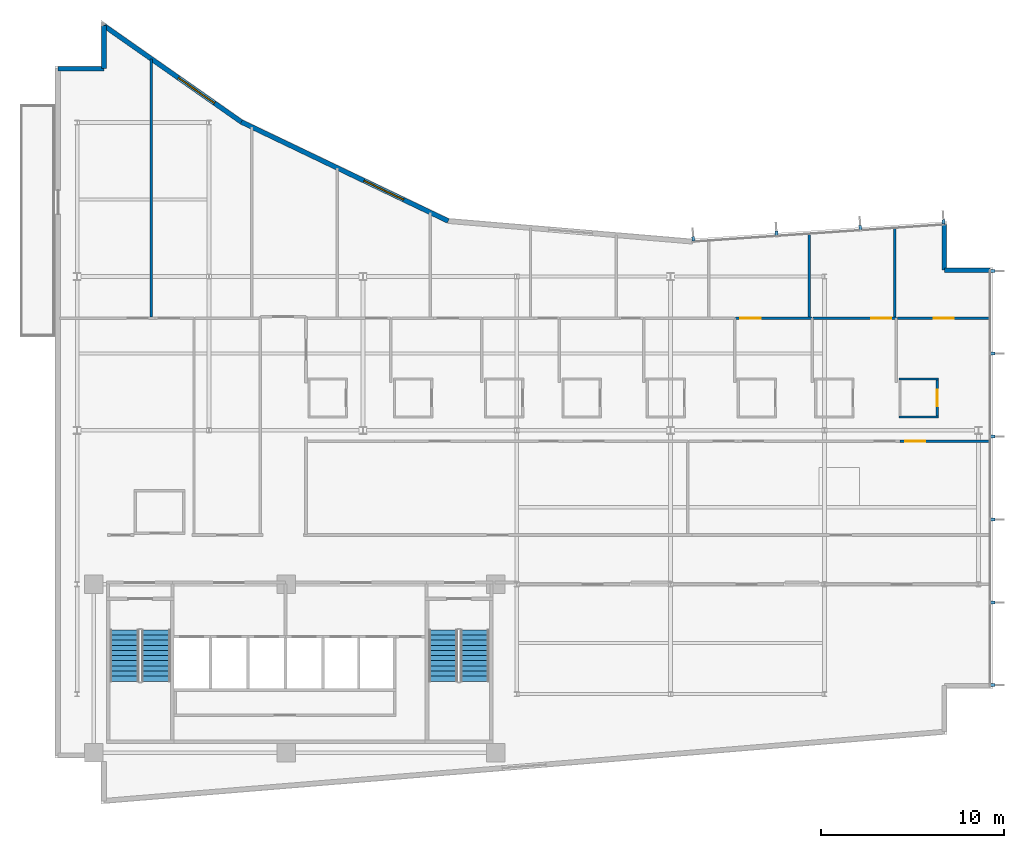
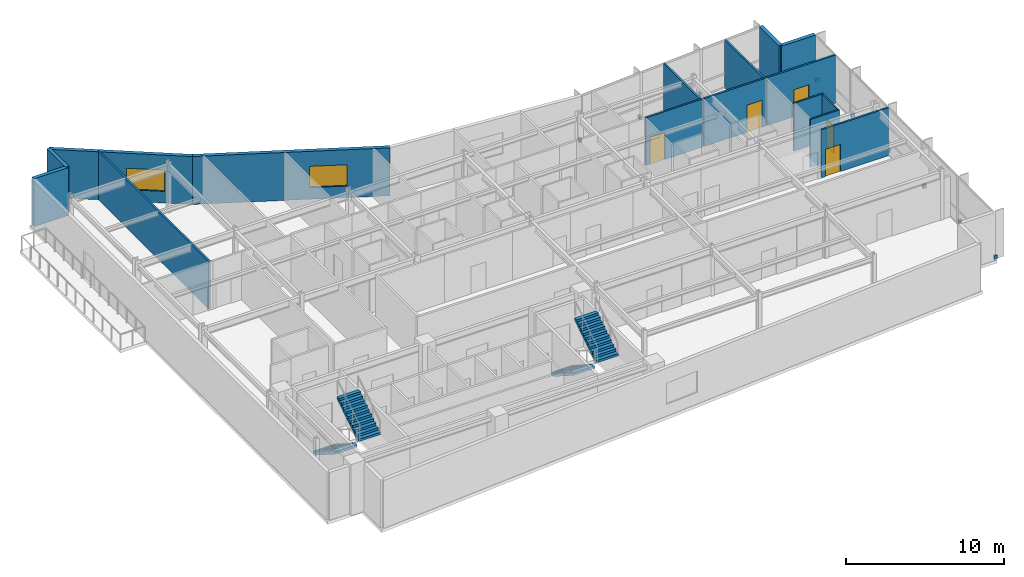
# One storey, part 13 of 16: 16 walls, 10 discrete accessories, 5 doors, 4 stair flights, 2 windows, 7 openings, 2 elements without a shape of their own.
"""IFC4 building model written with IfcOpenShell, lengths in metres."""

from ifc_helpers import new_model, si_unit, direction, frame, frame_2d, origin, origin_2d, place, context, subcontext, project, spatial, polyline, rectangle, outline, extrude, material, layer, layer_set, type_object, element, fill, aggregate, save


model = new_model("IFC4")

# Units and contexts
model_context = context("Model", 3, precision=1e-05, world=origin(), true_north=direction((0.0, 1.0)))
body_context = subcontext(model_context, "Body", "Model", "MODEL_VIEW")
ifc_project = project(units=[si_unit("LENGTHUNIT", "METRE"), si_unit("AREAUNIT", "SQUARE_METRE"), si_unit("VOLUMEUNIT", "CUBIC_METRE"), si_unit("PLANEANGLEUNIT", "RADIAN"), si_unit("MASSUNIT", "GRAM", prefix="KILO")], contexts=[model_context])

# Site, building, storey
site_placement = place(None, origin())
site = spatial("IfcSite", under=ifc_project, at=site_placement, CompositionType="ELEMENT")
building_placement = place(site_placement, origin())
building = spatial("IfcBuilding", under=site, at=building_placement, Name="Varnakote Quay Hospital", CompositionType="ELEMENT")
storey_placement = place(building_placement, frame((0.0, 0.0, 223.699951171875)))
storey = spatial("IfcBuildingStorey", under=building, at=storey_placement, Name="L55", CompositionType="ELEMENT", Elevation=223.699951171875)

# Walls
ifc_material_1 = material(Name="Moisture-resistant bathroom partition", Category="gypsum")
ifc_layer_1 = layer(ifc_material_1, 0.114990234375)
ifc_layer_set_1 = layer_set([ifc_layer_1], Name="Moisture-resistant bathroom partition")
wall_type_1 = type_object("IfcWallType", Name="WL-ENS-115", PredefinedType="PARTITIONING", material=ifc_layer_set_1)
for number, where, z_axis, x_axis, name in (
    (1, (46.06494140625, 21.132568359375, 0.0), (0.0, 0.0, 1.0), (1.0, 0.0, 0.0), "L55 Inpatient En-Suite Bathroom 08 S Wall"),
    (2, (46.06494140625, 23.197509765625, 0.0), (0.0, 0.0, 1.0), (1.0, 0.0, 0.0), "L55 Inpatient En-Suite Bathroom 08 N Wall"),
):
    element("IfcWall", number, at=place(storey_placement, frame(where, z_axis=z_axis, x_axis=x_axis)), inside=storey, type_object=wall_type_1, Name=name, PredefinedType="PARTITIONING", context=body_context, shape_type="SweptSolid", body=[
        extrude(rectangle(XDim=2.150146484375, YDim=0.114990234375, at=frame_2d((1.0751953125, 0.0))), origin(), (0.0, 0.0, 1.0), 3.7099609375),
    ])

# Wall, opening, door
wall_1_placement = place(storey_placement, frame((48.157470703125, 21.18994140625, 0.0), z_axis=(0.0, 0.0, 1.0), x_axis=(0.0, 1.0, 0.0)))
wall_1 = element("IfcWall", 3, at=wall_1_placement, inside=storey, type_object=wall_type_1, Name="L55 Inpatient En-Suite Bathroom 08 E Wall", PredefinedType="PARTITIONING", context=body_context, shape_type="SweptSolid", body=[
    extrude(rectangle(XDim=1.949951171875, YDim=0.114990234375, at=frame_2d((0.97509765625, 0.0))), origin(), (0.0, 0.0, 1.0), 3.7099609375),
])
opening_1_placement = place(wall_1_placement, frame((0.514892578125, 0.0, 0.0)))
opening_1 = element("IfcOpeningElement", 4, at=opening_1_placement, cuts=wall_1, Name="Opening D-L55-ENS08", PredefinedType="OPENING", context=body_context, shape_type="SweptSolid", body=[
    extrude(rectangle(XDim=0.919921875, YDim=2.10009765625, at=frame_2d((0.4599609375, 1.050048828125))), frame((0.0, 0.0673828125, 0.0), z_axis=(0.0, -1.0, 0.0), x_axis=(1.0, 0.0, 0.0)), (0.0, 0.0, 1.0), 0.135009765625),
])
ifc_material_2 = material(Name="Moisture-sealed en-suite bathroom door")
door_type_1 = type_object("IfcDoorType", Name="DR-ENS-920x2100", OperationType="NOTDEFINED", PredefinedType="DOOR", material=ifc_material_2)
door_1_placement = place(opening_1_placement, origin())
door_1 = element("IfcDoor", 5, at=door_1_placement, inside=storey, type_object=door_type_1, Name="L55 Inpatient En-Suite Bathroom 08 Door", OperationType="SINGLE_SWING_RIGHT", OverallHeight=2.10009765625, OverallWidth=0.919921875, PredefinedType="DOOR", context=body_context, shape_type="SweptSolid", body=[
    extrude(rectangle(XDim=0.919921875, YDim=2.10009765625, at=frame_2d((0.4599609375, 1.050048828125))), frame((0.0, 0.02490234375, 0.0), z_axis=(0.0, -1.0, 0.0), x_axis=(1.0, 0.0, 0.0)), (0.0, 0.0, 1.0), 0.050048828125),
])
fill(opening_1, door_1)

# Walls
ifc_material_3 = material(Name="Precast concrete N50 (f'c 50 MPa)", Category="concrete")
ifc_layer_2 = layer(ifc_material_3, 0.260009765625)
ifc_layer_set_2 = layer_set([ifc_layer_2], Name="Precast concrete N50 (f'c 50 MPa)")
wall_type_2 = type_object("IfcWallType", Name="WL-EXT-BRICK-260", PredefinedType="STANDARD", material=ifc_layer_set_2)
wall_2_placement = place(storey_placement, frame((51.0400390625, 29.139892578125, 0.0), z_axis=(0.0, 0.0, 1.0), x_axis=(-1.0, 0.0, 0.0)))
element("IfcWall", 6, at=wall_2_placement, inside=storey, type_object=wall_type_2, Name="L55 Brick-Faced Precast Exterior Wall", PredefinedType="STANDARD", context=body_context, shape_type="SweptSolid", body=[
    extrude(rectangle(XDim=2.5, YDim=0.260009765625, at=frame_2d((1.25, 0.0))), origin(), (0.0, 0.0, 1.0), 3.7099609375),
])
wall_3_placement = place(storey_placement, frame((48.5400390625, 29.139892578125, 0.0), z_axis=(0.0, 0.0, 1.0), x_axis=(0.0, 1.0, 0.0)))
element("IfcWall", 7, at=wall_3_placement, inside=storey, type_object=wall_type_2, Name="L55 Brick-Faced Precast Exterior Wall", PredefinedType="STANDARD", context=body_context, shape_type="SweptSolid", body=[
    extrude(rectangle(XDim=2.489013671875, YDim=0.260009765625, at=frame_2d((1.24462890625, 0.0))), origin(), (0.0, 0.0, 1.0), 3.7099609375),
])

# Wall, opening, window
wall_4_placement = place(storey_placement, frame((21.461181640625, 31.822998046875, 0.0), z_axis=(0.0, 0.0, 1.0), x_axis=(-0.901858094827, 0.432032379336, 0.0)))
wall_4 = element("IfcWall", 8, at=wall_4_placement, inside=storey, type_object=wall_type_2, Name="L55 Brick-Faced Precast Exterior Wall", PredefinedType="STANDARD", context=body_context, shape_type="SweptSolid", body=[
    extrude(rectangle(XDim=12.5322265625, YDim=0.260009765625, at=frame_2d((6.26611328125, 0.0))), origin(), (0.0, 0.0, 1.0), 3.7099609375),
])
opening_2_placement = place(wall_4_placement, frame((2.7099609375, 0.0, 0.89990234375)))
opening_2 = element("IfcOpeningElement", 9, at=opening_2_placement, cuts=wall_4, Name="Opening WN-0228", PredefinedType="OPENING", context=body_context, shape_type="SweptSolid", body=[
    extrude(rectangle(XDim=2.39990234375, YDim=1.64990234375, at=frame_2d((1.199951171875, 0.824951171875))), frame((0.0, 0.139892578125, 0.0), z_axis=(0.0, -1.0, 0.0), x_axis=(1.0, 0.0, 0.0)), (0.0, 0.0, 1.0), 0.280029296875),
])
ifc_material_4 = material(Name="Double-glazed low-E solar glass", Category="glass")
window_type = type_object("IfcWindowType", Name="WIN-CLIN-2400x1650", PartitioningType="SINGLE_PANEL", PredefinedType="WINDOW", material=ifc_material_4)
window_1_placement = place(opening_2_placement, origin())
window_1 = element("IfcWindow", 10, at=window_1_placement, inside=storey, type_object=window_type, Name="L55 Solar-Control Clinical Window", OverallHeight=1.64990234375, OverallWidth=2.39990234375, PartitioningType="SINGLE_PANEL", PredefinedType="WINDOW", context=body_context, shape_type="SweptSolid", body=[
    extrude(rectangle(XDim=2.39990234375, YDim=1.64990234375, at=frame_2d((1.199951171875, 0.824951171875))), frame((0.0, 0.030029296875, 0.0), z_axis=(0.0, -1.0, 0.0), x_axis=(1.0, 0.0, 0.0)), (0.0, 0.0, 1.0), 0.06005859375),
])
fill(opening_2, window_1)

wall_5_placement = place(storey_placement, frame((10.158935546875, 37.2373046875, 0.0), z_axis=(0.0, 0.0, 1.0), x_axis=(-0.818933702389, 0.57388813465, 0.0)))
wall_5 = element("IfcWall", 11, at=wall_5_placement, inside=storey, type_object=wall_type_2, Name="L55 Brick-Faced Precast Exterior Wall", PredefinedType="STANDARD", context=body_context, shape_type="SweptSolid", body=[
    extrude(rectangle(XDim=9.156982421875, YDim=0.260009765625, at=frame_2d((4.57861328125, 0.0))), origin(), (0.0, 0.0, 1.0), 3.7099609375),
])
opening_3_placement = place(wall_5_placement, frame((1.787109375, 0.0, 0.89990234375)))
opening_3 = element("IfcOpeningElement", 12, at=opening_3_placement, cuts=wall_5, Name="Opening WN-0229", PredefinedType="OPENING", context=body_context, shape_type="SweptSolid", body=[
    extrude(rectangle(XDim=2.39990234375, YDim=1.64990234375, at=frame_2d((1.199951171875, 0.824951171875))), frame((0.0, 0.139892578125, 0.0), z_axis=(0.0, -1.0, 0.0), x_axis=(1.0, 0.0, 0.0)), (0.0, 0.0, 1.0), 0.280029296875),
])
window_2_placement = place(opening_3_placement, origin())
window_2 = element("IfcWindow", 13, at=window_2_placement, inside=storey, type_object=window_type, Name="L55 Solar-Control Clinical Window", OverallHeight=1.64990234375, OverallWidth=2.39990234375, PartitioningType="SINGLE_PANEL", PredefinedType="WINDOW", context=body_context, shape_type="SweptSolid", body=[
    extrude(rectangle(XDim=2.39990234375, YDim=1.64990234375, at=frame_2d((1.199951171875, 0.824951171875))), frame((0.0, 0.030029296875, 0.0), z_axis=(0.0, -1.0, 0.0), x_axis=(1.0, 0.0, 0.0)), (0.0, 0.0, 1.0), 0.06005859375),
])
fill(opening_3, window_2)

# Walls
wall_6_placement = place(storey_placement, frame((2.659912109375, 42.492431640625, 0.0), z_axis=(0.0, 0.0, 1.0), x_axis=(0.0, -1.0, 0.0)))
element("IfcWall", 14, at=wall_6_placement, inside=storey, type_object=wall_type_2, Name="L55 Brick-Faced Precast Exterior Wall", PredefinedType="STANDARD", context=body_context, shape_type="SweptSolid", body=[
    extrude(rectangle(XDim=2.3525390625, YDim=0.260009765625, at=frame_2d((1.17626953125, 0.0))), origin(), (0.0, 0.0, 1.0), 3.7099609375),
])
wall_7_placement = place(storey_placement, frame((2.659912109375, 40.139892578125, 0.0), z_axis=(0.0, 0.0, 1.0), x_axis=(-1.0, 0.0, 0.0)))
element("IfcWall", 15, at=wall_7_placement, inside=storey, type_object=wall_type_2, Name="L55 Brick-Faced Precast Exterior Wall", PredefinedType="STANDARD", context=body_context, shape_type="SweptSolid", body=[
    extrude(rectangle(XDim=2.5, YDim=0.260009765625, at=frame_2d((1.25, 0.0))), origin(), (0.0, 0.0, 1.0), 3.7099609375),
])

# Wall, opening, door
ifc_material_5 = material(Name="Smoke-proof clinical partition", Category="gypsum")
ifc_layer_3 = layer(ifc_material_5, 0.135009765625)
ifc_layer_set_3 = layer_set([ifc_layer_3], Name="Smoke-proof clinical partition")
wall_type_3 = type_object("IfcWallType", Name="WL-SMOKE-135", PredefinedType="PARTITIONING", material=ifc_layer_set_3)
wall_8_placement = place(storey_placement, frame((51.0400390625, 19.800048828125, 0.0), z_axis=(0.0, 0.0, 1.0), x_axis=(-1.0, 0.0, 0.0)))
wall_8 = element("IfcWall", 16, at=wall_8_placement, inside=storey, type_object=wall_type_3, Name="L55 Clinical Interior Partition", PredefinedType="PARTITIONING", context=body_context, shape_type="SweptSolid", body=[
    extrude(rectangle(XDim=4.92333984375, YDim=0.135009765625, at=frame_2d((2.461669921875, 0.0))), origin(), (0.0, 0.0, 1.0), 3.7099609375),
])
opening_4_placement = place(wall_8_placement, frame((3.537841796875, 0.0, 0.0)))
opening_4 = element("IfcOpeningElement", 17, at=opening_4_placement, cuts=wall_8, Name="Opening D-L55-BR08", PredefinedType="OPENING", context=body_context, shape_type="SweptSolid", body=[
    extrude(rectangle(XDim=1.10009765625, YDim=2.10009765625, at=frame_2d((0.550048828125, 1.050048828125))), frame((0.0, 0.077392578125, 0.0), z_axis=(0.0, -1.0, 0.0), x_axis=(1.0, 0.0, 0.0)), (0.0, 0.0, 1.0), 0.155029296875),
])
ifc_material_6 = material(Name="Acoustic timber clinical consult door", Category="wood")
door_type_2 = type_object("IfcDoorType", Name="DR-CLIN-FD30S-1100x2100", OperationType="NOTDEFINED", PredefinedType="DOOR", material=ifc_material_6)
door_2_placement = place(opening_4_placement, origin())
door_2 = element("IfcDoor", 18, at=door_2_placement, inside=storey, type_object=door_type_2, Name="L55 Inpatient Clinical Treatment Room 08 Door", OperationType="SINGLE_SWING_RIGHT", OverallHeight=2.10009765625, OverallWidth=1.10009765625, PredefinedType="DOOR", context=body_context, shape_type="SweptSolid", body=[
    extrude(rectangle(XDim=1.10009765625, YDim=2.10009765625, at=frame_2d((0.550048828125, 1.050048828125))), frame((0.0, 0.02490234375, 0.0), z_axis=(0.0, -1.0, 0.0), x_axis=(1.0, 0.0, 0.0)), (0.0, 0.0, 1.0), 0.050048828125),
])
fill(opening_4, door_2)

wall_9_placement = place(storey_placement, frame((41.320068359375, 26.52001953125, 0.0), z_axis=(0.0, 0.0, 1.0), x_axis=(-1.0, 0.0, 0.0)))
wall_9 = element("IfcWall", 19, at=wall_9_placement, inside=storey, type_object=wall_type_3, Name="L55 Clinical Interior Partition", PredefinedType="PARTITIONING", context=body_context, shape_type="SweptSolid", body=[
    extrude(rectangle(XDim=4.172607421875, YDim=0.135009765625, at=frame_2d((2.08642578125, 0.0))), origin(), (0.0, 0.0, 1.0), 3.7099609375),
])
opening_5_placement = place(wall_9_placement, frame((2.8056640625, 0.0, 0.0)))
opening_5 = element("IfcOpeningElement", 20, at=opening_5_placement, cuts=wall_9, Name="Opening D-L55-MD10", PredefinedType="OPENING", context=body_context, shape_type="SweptSolid", body=[
    extrude(rectangle(XDim=1.10009765625, YDim=2.10009765625, at=frame_2d((0.550048828125, 1.050048828125))), frame((0.0, 0.077392578125, 0.0), z_axis=(0.0, -1.0, 0.0), x_axis=(1.0, 0.0, 0.0)), (0.0, 0.0, 1.0), 0.155029296875),
])
door_3_placement = place(opening_5_placement, origin())
door_3 = element("IfcDoor", 21, at=door_3_placement, inside=storey, type_object=door_type_2, Name="L55 Cardiac Rehab Treatment Suite Door", OperationType="SINGLE_SWING_LEFT", OverallHeight=2.10009765625, OverallWidth=1.10009765625, PredefinedType="DOOR", context=body_context, shape_type="SweptSolid", body=[
    extrude(rectangle(XDim=1.10009765625, YDim=2.10009765625, at=frame_2d((0.550048828125, 1.050048828125))), frame((0.0, 0.02490234375, 0.0), z_axis=(0.0, -1.0, 0.0), x_axis=(1.0, 0.0, 0.0)), (0.0, 0.0, 1.0), 0.050048828125),
])
fill(opening_5, door_3)

wall_10_placement = place(storey_placement, frame((45.919921875, 26.52001953125, 0.0), z_axis=(0.0, 0.0, 1.0), x_axis=(-1.0, 0.0, 0.0)))
wall_10 = element("IfcWall", 22, at=wall_10_placement, inside=storey, type_object=wall_type_3, Name="L55 Clinical Interior Partition", PredefinedType="PARTITIONING", context=body_context, shape_type="SweptSolid", body=[
    extrude(rectangle(XDim=4.54248046875, YDim=0.135009765625, at=frame_2d((2.271240234375, 0.0))), origin(), (0.0, 0.0, 1.0), 3.7099609375),
])
opening_6_placement = place(wall_10_placement, frame((0.276123046875, 0.0, 0.0)))
opening_6 = element("IfcOpeningElement", 23, at=opening_6_placement, cuts=wall_10, Name="Opening D-L55-MD11", PredefinedType="OPENING", context=body_context, shape_type="SweptSolid", body=[
    extrude(rectangle(XDim=1.10009765625, YDim=2.10009765625, at=frame_2d((0.550048828125, 1.050048828125))), frame((0.0, 0.077392578125, 0.0), z_axis=(0.0, -1.0, 0.0), x_axis=(1.0, 0.0, 0.0)), (0.0, 0.0, 1.0), 0.155029296875),
])
door_4_placement = place(opening_6_placement, origin())
door_4 = element("IfcDoor", 24, at=door_4_placement, inside=storey, type_object=door_type_2, Name="L55 Preventive Cardiology Office Door", OperationType="SINGLE_SWING_RIGHT", OverallHeight=2.10009765625, OverallWidth=1.10009765625, PredefinedType="DOOR", context=body_context, shape_type="SweptSolid", body=[
    extrude(rectangle(XDim=1.10009765625, YDim=2.10009765625, at=frame_2d((0.550048828125, 1.050048828125))), frame((0.0, 0.02490234375, 0.0), z_axis=(0.0, -1.0, 0.0), x_axis=(1.0, 0.0, 0.0)), (0.0, 0.0, 1.0), 0.050048828125),
])
fill(opening_6, door_4)

wall_11_placement = place(storey_placement, frame((51.0400390625, 26.52001953125, 0.0), z_axis=(0.0, 0.0, 1.0), x_axis=(-1.0, 0.0, 0.0)))
wall_11 = element("IfcWall", 25, at=wall_11_placement, inside=storey, type_object=wall_type_3, Name="L55 Clinical Interior Partition", PredefinedType="PARTITIONING", context=body_context, shape_type="SweptSolid", body=[
    extrude(rectangle(XDim=5.0625, YDim=0.135009765625, at=frame_2d((2.53125, 0.0))), origin(), (0.0, 0.0, 1.0), 3.7099609375),
])
opening_7_placement = place(wall_11_placement, frame((1.981201171875, 0.0, 0.0)))
opening_7 = element("IfcOpeningElement", 26, at=opening_7_placement, cuts=wall_11, Name="Opening D-L55-MD12", PredefinedType="OPENING", context=body_context, shape_type="SweptSolid", body=[
    extrude(rectangle(XDim=1.10009765625, YDim=2.10009765625, at=frame_2d((0.550048828125, 1.050048828125))), frame((0.0, 0.077392578125, 0.0), z_axis=(0.0, -1.0, 0.0), x_axis=(1.0, 0.0, 0.0)), (0.0, 0.0, 1.0), 0.155029296875),
])
door_5_placement = place(opening_7_placement, origin())
door_5 = element("IfcDoor", 27, at=door_5_placement, inside=storey, type_object=door_type_2, Name="L55 Patient Wellness Meeting Room Door", OperationType="SINGLE_SWING_LEFT", OverallHeight=2.10009765625, OverallWidth=1.10009765625, PredefinedType="DOOR", context=body_context, shape_type="SweptSolid", body=[
    extrude(rectangle(XDim=1.10009765625, YDim=2.10009765625, at=frame_2d((0.550048828125, 1.050048828125))), frame((0.0, 0.02490234375, 0.0), z_axis=(0.0, -1.0, 0.0), x_axis=(1.0, 0.0, 0.0)), (0.0, 0.0, 1.0), 0.050048828125),
])
fill(opening_7, door_5)

# Walls
wall_12_placement = place(storey_placement, frame((5.25, 26.577392578125, 0.0), z_axis=(0.0, 0.0, 1.0), x_axis=(0.0, 1.0, 0.0)))
element("IfcWall", 28, at=wall_12_placement, inside=storey, type_object=wall_type_3, Name="L55 Clinical Interior Partition", PredefinedType="PARTITIONING", context=body_context, shape_type="SweptSolid", body=[
    extrude(rectangle(XDim=14.10009765625, YDim=0.135009765625, at=frame_2d((7.050048828125, 0.0))), origin(), (0.0, 0.0, 1.0), 3.7099609375),
])
wall_13_placement = place(storey_placement, frame((41.169921875, 26.577392578125, 0.0), z_axis=(0.0, 0.0, 1.0), x_axis=(0.0, 1.0, 0.0)))
element("IfcWall", 29, at=wall_13_placement, inside=storey, type_object=wall_type_3, Name="L55 Clinical Interior Partition", PredefinedType="PARTITIONING", context=body_context, shape_type="SweptSolid", body=[
    extrude(rectangle(XDim=4.55029296875, YDim=0.135009765625, at=frame_2d((2.275146484375, 0.0))), origin(), (0.0, 0.0, 1.0), 3.7099609375),
])
wall_14_placement = place(storey_placement, frame((45.840087890625, 26.577392578125, 0.0), z_axis=(0.0, 0.0, 1.0), x_axis=(0.0, 1.0, 0.0)))
element("IfcWall", 30, at=wall_14_placement, inside=storey, type_object=wall_type_3, Name="L55 Clinical Interior Partition", PredefinedType="PARTITIONING", context=body_context, shape_type="SweptSolid", body=[
    extrude(rectangle(XDim=4.867919921875, YDim=0.135009765625, at=frame_2d((2.43408203125, 0.0))), origin(), (0.0, 0.0, 1.0), 3.7099609375),
])

# Stair, stair flights
ifc_material_7 = material(Name="Concrete N40 (f'c 40 MPa)", Category="concrete")
stair_type = type_object("IfcStairType", Name="STR-CORE-1580", PredefinedType="HALF_TURN_STAIR", material=ifc_material_7)
stair_1_placement = place(storey_placement, origin())
stair_1 = element("IfcStair", 31, at=stair_1_placement, inside=storey, type_object=stair_type, Name="L55 Fire-Isolated Exit Stair ST-01", PredefinedType="HALF_TURN_STAIR")
ifc_material_8 = material(Name="Concrete N40 (f'c 40 MPa)", Category="concrete")
ifc_layer_4 = layer(ifc_material_8, 0.159912109375)
ifc_layer_set_4 = layer_set([ifc_layer_4], Name="Concrete N40 (f'c 40 MPa)")
stair_flight_type = type_object("IfcStairFlightType", Name="FLT-CORE-1580", PredefinedType="STRAIGHT", material=ifc_layer_set_4)
stair_flight_1_placement = place(storey_placement, frame((3.7900390625, 9.5, 0.0), z_axis=(0.0, 0.0, 1.0), x_axis=(0.0, -1.0, 0.0)))
stair_flight_1 = element("IfcStairFlight", 32, at=stair_flight_1_placement, type_object=stair_flight_type, Name="ST-01 flight 1", NumberOfRisers=11, NumberOfTreads=10, PredefinedType="STRAIGHT", RiserHeight=0.179545455, TreadLength=0.28, context=body_context, shape_type="SweptSolid", body=[
    extrude(outline(polyline([(0.0, 0.0), (0.0, 0.179443359375), (0.280029296875, 0.179443359375), (0.280029296875, 0.359130859375), (0.56005859375, 0.359130859375), (0.56005859375, 0.53857421875), (0.840087890625, 0.53857421875), (0.840087890625, 0.71826171875), (1.1201171875, 0.71826171875), (1.1201171875, 0.897705078125), (1.39990234375, 0.897705078125), (1.39990234375, 1.077392578125), (1.679931640625, 1.077392578125), (1.679931640625, 1.2568359375), (1.9599609375, 1.2568359375), (1.9599609375, 1.436279296875), (2.239990234375, 1.436279296875), (2.239990234375, 1.615966796875), (2.52001953125, 1.615966796875), (2.52001953125, 1.79541015625), (2.800048828125, 1.79541015625), (2.800048828125, 1.97509765625), (2.800048828125, 1.60546875), (0.296142578125, 0.0), (0.0, 0.0)])), frame((0.0, 0.7900390625, 0.0), z_axis=(0.0, -1.0, 0.0), x_axis=(1.0, 0.0, 0.0)), (0.0, 0.0, 1.0), 1.580078125),
])
stair_flight_2_placement = place(storey_placement, frame((5.510009765625, 6.699951171875, 1.97509765625), z_axis=(0.0, 0.0, 1.0), x_axis=(0.0, 1.0, 0.0)))
stair_flight_2 = element("IfcStairFlight", 33, at=stair_flight_2_placement, type_object=stair_flight_type, Name="ST-01 flight 2", NumberOfRisers=11, NumberOfTreads=10, PredefinedType="STRAIGHT", RiserHeight=0.179545455, TreadLength=0.28, context=body_context, shape_type="SweptSolid", body=[
    extrude(outline(polyline([(0.0, 0.0), (0.0, 0.179443359375), (0.280029296875, 0.179443359375), (0.280029296875, 0.359130859375), (0.56005859375, 0.359130859375), (0.56005859375, 0.53857421875), (0.840087890625, 0.53857421875), (0.840087890625, 0.71826171875), (1.1201171875, 0.71826171875), (1.1201171875, 0.897705078125), (1.39990234375, 0.897705078125), (1.39990234375, 1.077392578125), (1.679931640625, 1.077392578125), (1.679931640625, 1.2568359375), (1.9599609375, 1.2568359375), (1.9599609375, 1.436279296875), (2.239990234375, 1.436279296875), (2.239990234375, 1.615966796875), (2.52001953125, 1.615966796875), (2.52001953125, 1.79541015625), (2.800048828125, 1.79541015625), (2.800048828125, 1.97509765625), (2.800048828125, 1.60546875), (0.296142578125, 0.0), (0.0, 0.0)])), frame((0.0, 0.7900390625, 0.0), z_axis=(0.0, -1.0, 0.0), x_axis=(1.0, 0.0, 0.0)), (0.0, 0.0, 1.0), 1.580078125),
])
aggregate(stair_1, [stair_flight_1, stair_flight_2])

stair_2_placement = place(storey_placement, origin())
stair_2 = element("IfcStair", 34, at=stair_2_placement, inside=storey, type_object=stair_type, Name="L55 Fire-Isolated Exit Stair ST-02", PredefinedType="HALF_TURN_STAIR")
stair_flight_3_placement = place(storey_placement, frame((21.18994140625, 9.5, 0.0), z_axis=(0.0, 0.0, 1.0), x_axis=(0.0, -1.0, 0.0)))
stair_flight_3 = element("IfcStairFlight", 35, at=stair_flight_3_placement, type_object=stair_flight_type, Name="ST-02 flight 1", NumberOfRisers=11, NumberOfTreads=10, PredefinedType="STRAIGHT", RiserHeight=0.179545455, TreadLength=0.28, context=body_context, shape_type="SweptSolid", body=[
    extrude(outline(polyline([(0.0, 0.0), (0.0, 0.179443359375), (0.280029296875, 0.179443359375), (0.280029296875, 0.359130859375), (0.56005859375, 0.359130859375), (0.56005859375, 0.53857421875), (0.840087890625, 0.53857421875), (0.840087890625, 0.71826171875), (1.1201171875, 0.71826171875), (1.1201171875, 0.897705078125), (1.39990234375, 0.897705078125), (1.39990234375, 1.077392578125), (1.679931640625, 1.077392578125), (1.679931640625, 1.2568359375), (1.9599609375, 1.2568359375), (1.9599609375, 1.436279296875), (2.239990234375, 1.436279296875), (2.239990234375, 1.615966796875), (2.52001953125, 1.615966796875), (2.52001953125, 1.79541015625), (2.800048828125, 1.79541015625), (2.800048828125, 1.97509765625), (2.800048828125, 1.60546875), (0.296142578125, 0.0), (0.0, 0.0)])), frame((0.0, 0.7900390625, 0.0), z_axis=(0.0, -1.0, 0.0), x_axis=(1.0, 0.0, 0.0)), (0.0, 0.0, 1.0), 1.580078125),
])
stair_flight_4_placement = place(storey_placement, frame((22.909912109375, 6.699951171875, 1.97509765625), z_axis=(0.0, 0.0, 1.0), x_axis=(0.0, 1.0, 0.0)))
stair_flight_4 = element("IfcStairFlight", 36, at=stair_flight_4_placement, type_object=stair_flight_type, Name="ST-02 flight 2", NumberOfRisers=11, NumberOfTreads=10, PredefinedType="STRAIGHT", RiserHeight=0.179545455, TreadLength=0.28, context=body_context, shape_type="SweptSolid", body=[
    extrude(outline(polyline([(0.0, 0.0), (0.0, 0.179443359375), (0.280029296875, 0.179443359375), (0.280029296875, 0.359130859375), (0.56005859375, 0.359130859375), (0.56005859375, 0.53857421875), (0.840087890625, 0.53857421875), (0.840087890625, 0.71826171875), (1.1201171875, 0.71826171875), (1.1201171875, 0.897705078125), (1.39990234375, 0.897705078125), (1.39990234375, 1.077392578125), (1.679931640625, 1.077392578125), (1.679931640625, 1.2568359375), (1.9599609375, 1.2568359375), (1.9599609375, 1.436279296875), (2.239990234375, 1.436279296875), (2.239990234375, 1.615966796875), (2.52001953125, 1.615966796875), (2.52001953125, 1.79541015625), (2.800048828125, 1.79541015625), (2.800048828125, 1.97509765625), (2.800048828125, 1.60546875), (0.296142578125, 0.0), (0.0, 0.0)])), frame((0.0, 0.7900390625, 0.0), z_axis=(0.0, -1.0, 0.0), x_axis=(1.0, 0.0, 0.0)), (0.0, 0.0, 1.0), 1.580078125),
])
aggregate(stair_2, [stair_flight_3, stair_flight_4])

# Discrete accessories
ifc_material_9 = material(Name="Anodised aluminium 6063-T6 Bronze", Category="aluminium")
discrete_accessory_type = type_object("IfcDiscreteAccessoryType", Name="ACC-FIN-BRACKET-180", PredefinedType="BRACKET", material=ifc_material_9)
for number, where, z_axis, x_axis, name in (
    (37, (51.18994140625, 6.492431640625, 0.0), (0.0, 0.0, 1.0), (0.0, 1.0, 0.0), "L55 Curtain Wall Fin Fixing Bracket"),
    (38, (51.18994140625, 10.99609375, 0.0), (0.0, 0.0, 1.0), (0.0, 1.0, 0.0), "L55 Curtain Wall Fin Fixing Bracket"),
    (39, (51.18994140625, 15.531982421875, 0.0), (0.0, 0.0, 1.0), (0.0, 1.0, 0.0), "L55 Curtain Wall Fin Fixing Bracket"),
    (40, (51.18994140625, 20.068115234375, 0.0), (0.0, 0.0, 1.0), (0.0, 1.0, 0.0), "L55 Curtain Wall Fin Fixing Bracket"),
    (41, (51.18994140625, 24.60400390625, 0.0), (0.0, 0.0, 1.0), (0.0, 1.0, 0.0), "L55 Curtain Wall Fin Fixing Bracket"),
    (42, (51.18994140625, 29.107421875, 0.0), (0.0, 0.0, 1.0), (0.0, 1.0, 0.0), "L55 Curtain Wall Fin Fixing Bracket"),
    (43, (48.497314453125, 31.776123046875, 0.0), (0.0, 0.0, 1.0), (-0.997696134548, -0.067841160875, 0.0), "L55 Curtain Wall Fin Fixing Bracket"),
    (44, (43.95458984375, 31.46728515625, 0.0), (0.0, 0.0, 1.0), (-0.997696134548, -0.067841160875, 0.0), "L55 Curtain Wall Fin Fixing Bracket"),
    (45, (39.379638671875, 31.15625, 0.0), (0.0, 0.0, 1.0), (-0.997696134548, -0.067841160875, 0.0), "L55 Curtain Wall Fin Fixing Bracket"),
    (46, (34.8369140625, 30.847412109375, 0.0), (0.0, 0.0, 1.0), (-0.997696134548, -0.067841160875, 0.0), "L55 Curtain Wall Fin Fixing Bracket"),
):
    element("IfcDiscreteAccessory", number, at=place(storey_placement, frame(where, z_axis=z_axis, x_axis=x_axis)), inside=storey, type_object=discrete_accessory_type, Name=name, PredefinedType="BRACKET", context=body_context, shape_type="SweptSolid", body=[
        extrude(rectangle(XDim=0.159912109375, YDim=0.239990234375, at=origin_2d()), origin(), (0.0, 0.0, 1.0), 0.280029296875),
    ])

save(model, "model.ifc")
